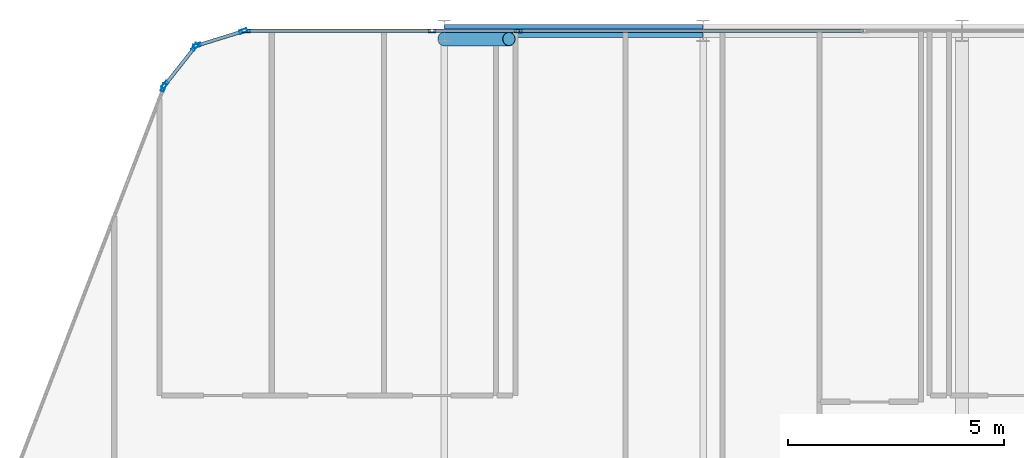
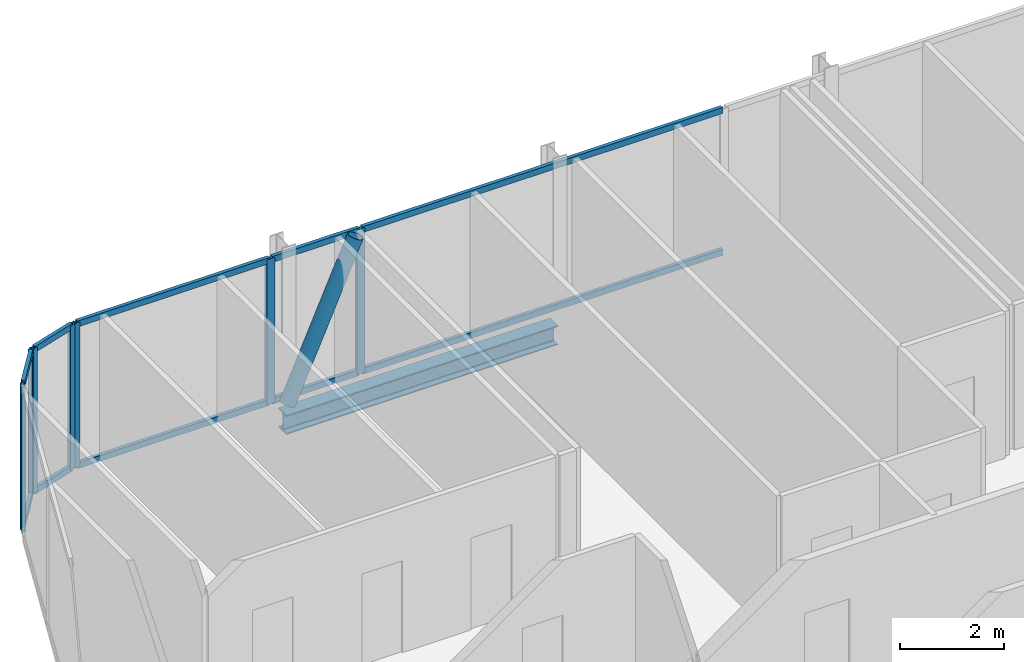
# One storey, part 17 of 31: 19 members, 1 beam, 6 elements without a shape of their own.
"""IFC4 building model written with IfcOpenShell, lengths in metres."""

from ifc_helpers import new_model, si_unit, direction, frame, origin, origin_2d, place, context, subcontext, project, spatial, hollow_rectangle, hollow_circle, i_section, extrude, material, layer, layer_set, material_profile, profile_set, type_object, element, aggregate, save


model = new_model("IFC4")

# Units and contexts
model_context = context("Model", 3, precision=1e-05, world=origin(), true_north=direction((0.0, 1.0)))
body_context = subcontext(model_context, "Body", "Model", "MODEL_VIEW")
ifc_project = project(units=[si_unit("LENGTHUNIT", "METRE"), si_unit("AREAUNIT", "SQUARE_METRE"), si_unit("VOLUMEUNIT", "CUBIC_METRE"), si_unit("PLANEANGLEUNIT", "RADIAN"), si_unit("MASSUNIT", "GRAM", prefix="KILO")], contexts=[model_context])

# Site, building, storey
site_placement = place(None, origin())
site = spatial("IfcSite", under=ifc_project, at=site_placement, CompositionType="ELEMENT")
building_placement = place(site_placement, origin())
building = spatial("IfcBuilding", under=site, at=building_placement, Name="Keshet Zoharim Tower", CompositionType="ELEMENT")
storey_placement = place(building_placement, frame((0.0, 0.0, 144.60009765625)))
storey = spatial("IfcBuildingStorey", under=building, at=storey_placement, Name="L35", CompositionType="ELEMENT", Elevation=144.60009765625)

# Beam
ifc_material_1 = material(Name="Steel S355", Category="steel")
ifc_material_profile_1 = material_profile(ifc_material_1, i_section(OverallWidth=0.300048828125, OverallDepth=0.449951171875, WebThickness=0.013916015625, FlangeThickness=0.02587890625, FilletRadius=0.027099609375, at=origin_2d()), Name="HEB450")
ifc_profile_set_1 = profile_set([ifc_material_profile_1], Name="Steel S355")
beam_type = type_object("IfcBeamType", Name="BM-WEB-HB450", PredefinedType="BEAM", material=ifc_profile_set_1)
beam_placement = place(storey_placement, frame((21.0, 53.89990234375, -0.5400390625), z_axis=(1.0, 0.0, 0.0), x_axis=(0.0, 1.0, 0.0)))
element("IfcBeam", 1, at=beam_placement, inside=storey, type_object=beam_type, Name="L35 Primary Girder X-020", PredefinedType="BEAM", context=body_context, shape_type="SweptSolid", body=[
    extrude(i_section(OverallWidth=0.300048828125, OverallDepth=0.449951171875, WebThickness=0.013916015625, FlangeThickness=0.02587890625, FilletRadius=0.027099609375, at=origin_2d()), origin(), (0.0, 0.0, 1.0), 6.0),
])

# Curtain wall, member
ifc_material_2 = material(Name="Aluminium 6063-T6", Category="aluminium")
ifc_layer = layer(ifc_material_2, 0.159912109375)
ifc_layer_set = layer_set([ifc_layer], Name="Aluminium 6063-T6")
curtain_wall_type = type_object("IfcCurtainWallType", Name="CW-SYS-03", PredefinedType="NOTDEFINED", material=ifc_layer_set)
curtain_wall_1_placement = place(storey_placement, origin())
curtain_wall_1 = element("IfcCurtainWall", 2, at=curtain_wall_1_placement, inside=storey, type_object=curtain_wall_type, Name="L35 Unitised Curtain Wall 10", PredefinedType="NOTDEFINED")
ifc_material_profile_2 = material_profile(ifc_material_2, hollow_rectangle(XDim=0.080078125, YDim=0.179931640625, WallThickness=0.00439453125, at=origin_2d()), Name="MUL-80x180")
ifc_profile_set_2 = profile_set([ifc_material_profile_2], Name="Aluminium 6063-T6")
member_type_1 = type_object("IfcMemberType", Name="CWM-M18", PredefinedType="MULLION", material=ifc_profile_set_2)
member_1_placement = place(storey_placement, frame((14.494384765625, 52.58544921875, 0.0), z_axis=(0.0, 0.0, 1.0), x_axis=(-0.933341404361, 0.358990003907, 0.0)))
member_1 = element("IfcMember", 3, at=member_1_placement, type_object=member_type_1, Name="CW-03 mullion 4", PredefinedType="MULLION", context=body_context, shape_type="SweptSolid", body=[
    extrude(hollow_rectangle(XDim=0.080078125, YDim=0.179931640625, WallThickness=0.00439453125, at=origin_2d()), origin(), (0.0, 0.0, 1.0), 3.385009765625),
])
aggregate(curtain_wall_1, [member_1])

# Curtain wall, members
curtain_wall_2_placement = place(storey_placement, origin())
curtain_wall_2 = element("IfcCurtainWall", 4, at=curtain_wall_2_placement, inside=storey, type_object=curtain_wall_type, Name="L35 Unitised Curtain Wall 11", PredefinedType="NOTDEFINED")
member_2_placement = place(storey_placement, frame((14.528564453125, 52.6455078125, 0.0), z_axis=(0.0, 0.0, 1.0), x_axis=(-0.785292825205, 0.619124525989, 0.0)))
member_2 = element("IfcMember", 5, at=member_2_placement, type_object=member_type_1, Name="CW-03 mullion 1", PredefinedType="MULLION", context=body_context, shape_type="SweptSolid", body=[
    extrude(hollow_rectangle(XDim=0.080078125, YDim=0.179931640625, WallThickness=0.00439453125, at=origin_2d()), origin(), (0.0, 0.0, 1.0), 3.385009765625),
])
member_3_placement = place(storey_placement, frame((15.21923828125, 53.521484375, 0.0), z_axis=(0.0, 0.0, 1.0), x_axis=(-0.785292825205, 0.619124525989, 0.0)))
member_3 = element("IfcMember", 6, at=member_3_placement, type_object=member_type_1, Name="CW-03 mullion 2", PredefinedType="MULLION", context=body_context, shape_type="SweptSolid", body=[
    extrude(hollow_rectangle(XDim=0.080078125, YDim=0.179931640625, WallThickness=0.00439453125, at=origin_2d()), origin(), (0.0, 0.0, 1.0), 3.385009765625),
])

curtain_wall_3_placement = place(storey_placement, origin())
curtain_wall_3 = element("IfcCurtainWall", 7, at=curtain_wall_3_placement, inside=storey, type_object=curtain_wall_type, Name="L35 Unitised Curtain Wall 12", PredefinedType="NOTDEFINED")
member_4_placement = place(storey_placement, frame((15.2744140625, 53.559326171875, 0.0), z_axis=(0.0, 0.0, 1.0), x_axis=(-0.295921857984, 0.955212151288, 0.0)))
member_4 = element("IfcMember", 8, at=member_4_placement, type_object=member_type_1, Name="CW-03 mullion 1", PredefinedType="MULLION", context=body_context, shape_type="SweptSolid", body=[
    extrude(hollow_rectangle(XDim=0.080078125, YDim=0.179931640625, WallThickness=0.00439453125, at=origin_2d()), origin(), (0.0, 0.0, 1.0), 3.385009765625),
])
member_5_placement = place(storey_placement, frame((16.340576171875, 53.8896484375, 0.0), z_axis=(0.0, 0.0, 1.0), x_axis=(-0.295921857984, 0.955212151288, 0.0)))
member_5 = element("IfcMember", 9, at=member_5_placement, type_object=member_type_1, Name="CW-03 mullion 2", PredefinedType="MULLION", context=body_context, shape_type="SweptSolid", body=[
    extrude(hollow_rectangle(XDim=0.080078125, YDim=0.179931640625, WallThickness=0.00439453125, at=origin_2d()), origin(), (0.0, 0.0, 1.0), 3.385009765625),
])

curtain_wall_4_placement = place(storey_placement, origin())
curtain_wall_4 = element("IfcCurtainWall", 10, at=curtain_wall_4_placement, inside=storey, type_object=curtain_wall_type, Name="L35 Unitised Curtain Wall 13", PredefinedType="NOTDEFINED")
member_6_placement = place(storey_placement, frame((16.408935546875, 53.89990234375, 0.0), z_axis=(0.0, 0.0, 1.0), x_axis=(0.0, 1.0, 0.0)))
member_6 = element("IfcMember", 11, at=member_6_placement, type_object=member_type_1, Name="CW-03 mullion 1", PredefinedType="MULLION", context=body_context, shape_type="SweptSolid", body=[
    extrude(hollow_rectangle(XDim=0.080078125, YDim=0.179931640625, WallThickness=0.00439453125, at=origin_2d()), origin(), (0.0, 0.0, 1.0), 3.385009765625),
])
member_7_placement = place(storey_placement, frame((20.716796875, 53.89990234375, 0.0), z_axis=(0.0, 0.0, 1.0), x_axis=(0.0, 1.0, 0.0)))
member_7 = element("IfcMember", 12, at=member_7_placement, type_object=member_type_1, Name="CW-03 mullion 2", PredefinedType="MULLION", context=body_context, shape_type="SweptSolid", body=[
    extrude(hollow_rectangle(XDim=0.080078125, YDim=0.179931640625, WallThickness=0.00439453125, at=origin_2d()), origin(), (0.0, 0.0, 1.0), 3.385009765625),
])

# Curtain wall, member
curtain_wall_5_placement = place(storey_placement, origin())
curtain_wall_5 = element("IfcCurtainWall", 13, at=curtain_wall_5_placement, inside=storey, type_object=curtain_wall_type, Name="L35 Unitised Curtain Wall 13 Part 2", PredefinedType="NOTDEFINED")
member_8_placement = place(storey_placement, frame((22.713134765625, 53.89990234375, 0.0), z_axis=(0.0, 0.0, 1.0), x_axis=(0.0, 1.0, 0.0)))
member_8 = element("IfcMember", 14, at=member_8_placement, type_object=member_type_1, Name="CW-03 mullion 2", PredefinedType="MULLION", context=body_context, shape_type="SweptSolid", body=[
    extrude(hollow_rectangle(XDim=0.080078125, YDim=0.179931640625, WallThickness=0.00439453125, at=origin_2d()), origin(), (0.0, 0.0, 1.0), 3.385009765625),
])

# Member
ifc_material_profile_3 = material_profile(ifc_material_2, hollow_rectangle(XDim=0.080078125, YDim=0.139892578125, WallThickness=0.00390625, at=origin_2d()), Name="TRN-80x140")
ifc_profile_set_3 = profile_set([ifc_material_profile_3], Name="Aluminium 6063-T6")
member_type_2 = type_object("IfcMemberType", Name="CWT-T14", PredefinedType="USERDEFINED", material=ifc_profile_set_3)
member_9_placement = place(storey_placement, frame((14.55029296875, 52.6728515625, 0.034912109375), z_axis=(0.619099165969, 0.78531281837, 0.0), x_axis=(-0.78531281837, 0.619099165969, 0.0)))
member_9 = element("IfcMember", 15, at=member_9_placement, type_object=member_type_2, Name="CW-03 transom 1.1", ObjectType="TRANSOM", PredefinedType="USERDEFINED", context=body_context, shape_type="SweptSolid", body=[
    extrude(hollow_rectangle(XDim=0.080078125, YDim=0.139892578125, WallThickness=0.00390625, at=origin_2d()), origin(), (0.0, 0.0, 1.0), 1.0458984375),
])

member_10_placement = place(storey_placement, frame((14.55029296875, 52.6728515625, 3.349853515625), z_axis=(0.619099165969, 0.78531281837, 0.0), x_axis=(-0.78531281837, 0.619099165969, 0.0)))
member_10 = element("IfcMember", 16, at=member_10_placement, type_object=member_type_2, Name="CW-03 transom 1.2", ObjectType="TRANSOM", PredefinedType="USERDEFINED", context=body_context, shape_type="SweptSolid", body=[
    extrude(hollow_rectangle(XDim=0.080078125, YDim=0.139892578125, WallThickness=0.00390625, at=origin_2d()), origin(), (0.0, 0.0, 1.0), 1.0458984375),
])

aggregate(curtain_wall_2, [member_2, member_3, member_9, member_10])

member_11_placement = place(storey_placement, frame((15.307861328125, 53.56982421875, 0.034912109375), z_axis=(0.955212093062, 0.295922045933, 0.0), x_axis=(-0.295922045933, 0.955212093062, 0.0)))
member_11 = element("IfcMember", 17, at=member_11_placement, type_object=member_type_2, Name="CW-03 transom 1.1", ObjectType="TRANSOM", PredefinedType="USERDEFINED", context=body_context, shape_type="SweptSolid", body=[
    extrude(hollow_rectangle(XDim=0.080078125, YDim=0.139892578125, WallThickness=0.00390625, at=origin_2d()), origin(), (0.0, 0.0, 1.0), 1.046142578125),
])

member_12_placement = place(storey_placement, frame((15.307861328125, 53.56982421875, 3.349853515625), z_axis=(0.955212093062, 0.295922045933, 0.0), x_axis=(-0.295922045933, 0.955212093062, 0.0)))
member_12 = element("IfcMember", 18, at=member_12_placement, type_object=member_type_2, Name="CW-03 transom 1.2", ObjectType="TRANSOM", PredefinedType="USERDEFINED", context=body_context, shape_type="SweptSolid", body=[
    extrude(hollow_rectangle(XDim=0.080078125, YDim=0.139892578125, WallThickness=0.00390625, at=origin_2d()), origin(), (0.0, 0.0, 1.0), 1.046142578125),
])

aggregate(curtain_wall_3, [member_4, member_5, member_11, member_12])

member_13_placement = place(storey_placement, frame((16.444091796875, 53.89990234375, 0.034912109375), z_axis=(1.0, 0.0, 0.0), x_axis=(0.0, 1.0, 0.0)))
member_13 = element("IfcMember", 19, at=member_13_placement, type_object=member_type_2, Name="CW-03 transom 1.1", ObjectType="TRANSOM", PredefinedType="USERDEFINED", context=body_context, shape_type="SweptSolid", body=[
    extrude(hollow_rectangle(XDim=0.080078125, YDim=0.139892578125, WallThickness=0.00390625, at=origin_2d()), origin(), (0.0, 0.0, 1.0), 4.23779296875),
])

member_14_placement = place(storey_placement, frame((16.444091796875, 53.89990234375, 3.349853515625), z_axis=(1.0, 0.0, 0.0), x_axis=(0.0, 1.0, 0.0)))
member_14 = element("IfcMember", 20, at=member_14_placement, type_object=member_type_2, Name="CW-03 transom 1.2", ObjectType="TRANSOM", PredefinedType="USERDEFINED", context=body_context, shape_type="SweptSolid", body=[
    extrude(hollow_rectangle(XDim=0.080078125, YDim=0.139892578125, WallThickness=0.00390625, at=origin_2d()), origin(), (0.0, 0.0, 1.0), 4.23779296875),
])

aggregate(curtain_wall_4, [member_6, member_7, member_13, member_14])

member_15_placement = place(storey_placement, frame((20.751953125, 53.89990234375, 0.034912109375), z_axis=(1.0, 0.0, 0.0), x_axis=(0.0, 1.0, 0.0)))
member_15 = element("IfcMember", 21, at=member_15_placement, type_object=member_type_2, Name="CW-03 transom 1.1", ObjectType="TRANSOM", PredefinedType="USERDEFINED", context=body_context, shape_type="SweptSolid", body=[
    extrude(hollow_rectangle(XDim=0.080078125, YDim=0.139892578125, WallThickness=0.00390625, at=origin_2d()), origin(), (0.0, 0.0, 1.0), 1.926025390625),
])

member_16_placement = place(storey_placement, frame((20.751953125, 53.89990234375, 3.349853515625), z_axis=(1.0, 0.0, 0.0), x_axis=(0.0, 1.0, 0.0)))
member_16 = element("IfcMember", 22, at=member_16_placement, type_object=member_type_2, Name="CW-03 transom 1.2", ObjectType="TRANSOM", PredefinedType="USERDEFINED", context=body_context, shape_type="SweptSolid", body=[
    extrude(hollow_rectangle(XDim=0.080078125, YDim=0.139892578125, WallThickness=0.00390625, at=origin_2d()), origin(), (0.0, 0.0, 1.0), 1.926025390625),
])

aggregate(curtain_wall_5, [member_8, member_15, member_16])

# Curtain wall, members
curtain_wall_6_placement = place(storey_placement, origin())
curtain_wall_6 = element("IfcCurtainWall", 23, at=curtain_wall_6_placement, inside=storey, type_object=curtain_wall_type, Name="L35 Unitised Curtain Wall 13 Part 3", PredefinedType="NOTDEFINED")
member_17_placement = place(storey_placement, frame((22.748046875, 53.89990234375, 0.034912109375), z_axis=(1.0, 0.0, 0.0), x_axis=(0.0, 1.0, 0.0)))
member_17 = element("IfcMember", 24, at=member_17_placement, type_object=member_type_2, Name="CW-03 transom 1.1", ObjectType="TRANSOM", PredefinedType="USERDEFINED", context=body_context, shape_type="SweptSolid", body=[
    extrude(hollow_rectangle(XDim=0.080078125, YDim=0.139892578125, WallThickness=0.00390625, at=origin_2d()), origin(), (0.0, 0.0, 1.0), 7.967041015625),
])
member_18_placement = place(storey_placement, frame((22.748046875, 53.89990234375, 3.349853515625), z_axis=(1.0, 0.0, 0.0), x_axis=(0.0, 1.0, 0.0)))
member_18 = element("IfcMember", 25, at=member_18_placement, type_object=member_type_2, Name="CW-03 transom 1.2", ObjectType="TRANSOM", PredefinedType="USERDEFINED", context=body_context, shape_type="SweptSolid", body=[
    extrude(hollow_rectangle(XDim=0.080078125, YDim=0.139892578125, WallThickness=0.00390625, at=origin_2d()), origin(), (0.0, 0.0, 1.0), 7.967041015625),
])
aggregate(curtain_wall_6, [member_17, member_18])

# Member
ifc_material_profile_4 = material_profile(ifc_material_1, hollow_circle(Radius=0.161865234375, WallThickness=0.012451171875, at=origin_2d()), Name="CHS323x12.5")
ifc_profile_set_4 = profile_set([ifc_material_profile_4], Name="Steel S355")
member_type_3 = type_object("IfcMemberType", Name="MB-BR-C323", PredefinedType="BRACE", material=ifc_profile_set_4)
member_19_placement = place(storey_placement, frame((21.0, 53.7099609375, 0.0), z_axis=(0.405134846829, 0.0, 0.91425694194), x_axis=(0.0, 1.0, 0.0)))
element("IfcMember", 26, at=member_19_placement, inside=storey, type_object=member_type_3, Name="L35 Perimeter Tube Brace 02", PredefinedType="BRACE", context=body_context, shape_type="SweptSolid", body=[
    extrude(hollow_circle(Radius=0.161865234375, WallThickness=0.012451171875, at=origin_2d()), origin(), (0.0, 0.0, 1.0), 3.702392578125),
])

save(model, "model.ifc")
